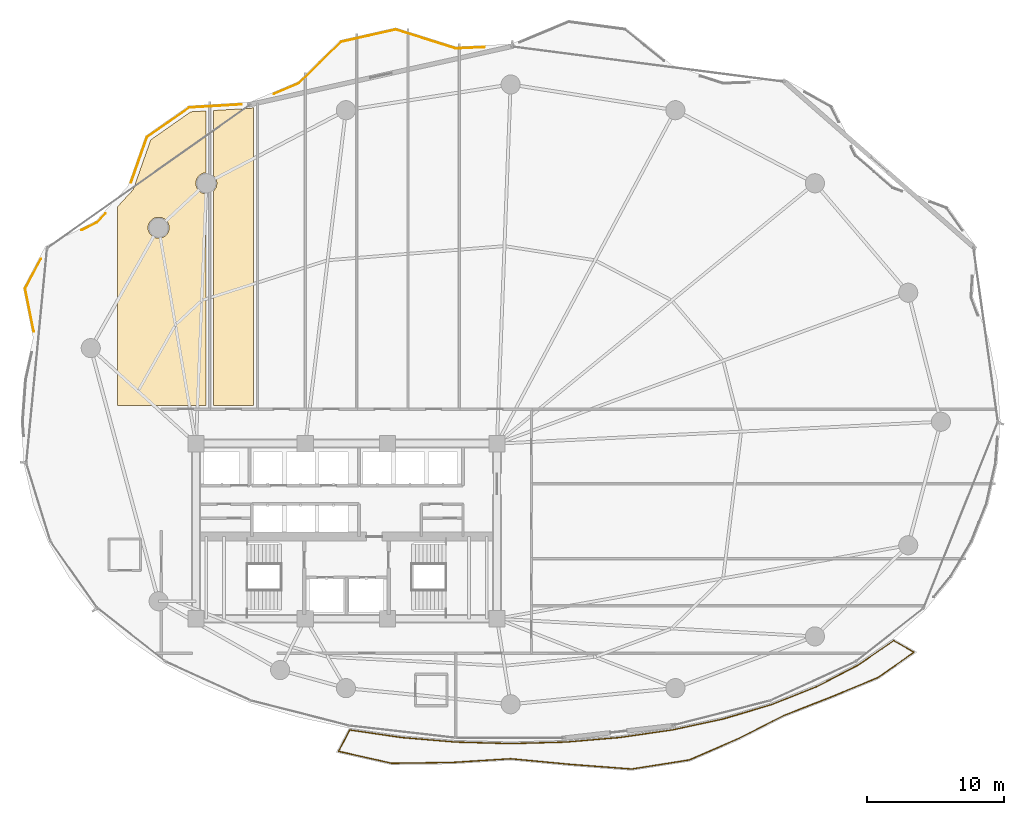
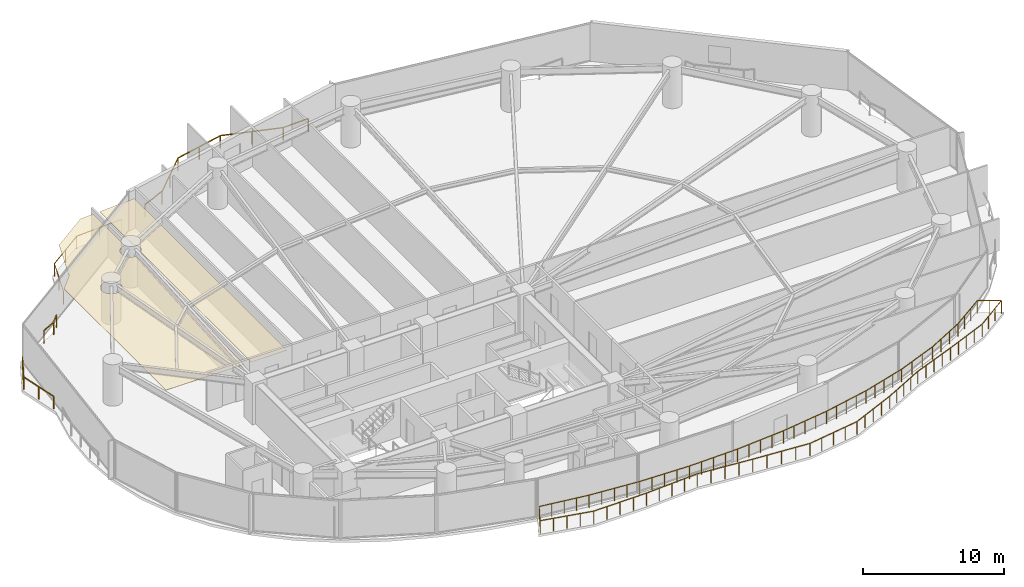
# One storey, part 30 of 31: 5 railings, 2 coverings.
"""IFC4 building model written with IfcOpenShell, lengths in metres."""

from ifc_helpers import new_model, si_unit, direction, frame, origin, origin_2d, place, context, subcontext, project, spatial, polyline, rectangle, outline, extrude, material, layer, layer_set, type_object, element, save


model = new_model("IFC4")

# Units and contexts
model_context = context("Model", 3, precision=1e-05, world=origin(), true_north=direction((0.0, 1.0)))
body_context = subcontext(model_context, "Body", "Model", "MODEL_VIEW")
ifc_project = project(units=[si_unit("LENGTHUNIT", "METRE"), si_unit("AREAUNIT", "SQUARE_METRE"), si_unit("VOLUMEUNIT", "CUBIC_METRE"), si_unit("PLANEANGLEUNIT", "RADIAN"), si_unit("MASSUNIT", "GRAM", prefix="KILO")], contexts=[model_context])

# Site, building, storey
site_placement = place(None, origin())
site = spatial("IfcSite", under=ifc_project, at=site_placement, CompositionType="ELEMENT")
building_placement = place(site_placement, origin())
building = spatial("IfcBuilding", under=site, at=building_placement, Name="Kazevale Care Tower and Concert Hall", CompositionType="ELEMENT")
storey_placement = place(building_placement, frame((0.0, 0.0, 63.60009765625)))
storey = spatial("IfcBuildingStorey", under=building, at=storey_placement, Name="L16", CompositionType="ELEMENT", Elevation=63.60009765625)

# Coverings
ifc_material_1 = material(Name="Acoustic Plaster and Hinoki Wood", Category="wood")
ifc_layer = layer(ifc_material_1, 0.0400390625)
ifc_layer_set = layer_set([ifc_layer], Name="Acoustic Plaster and Hinoki Wood")
covering_type = type_object("IfcCoveringType", Name="Acoustic Perforated Wood-Gypsum Ceiling", PredefinedType="CEILING", material=ifc_layer_set)
covering_1_placement = place(storey_placement, frame((0.0, 0.0, 2.7099609375)))
element("IfcCovering", 1, at=covering_1_placement, inside=storey, type_object=covering_type, Name="clg:L16:1", PredefinedType="CEILING", context=body_context, shape_type="SweptSolid", body=[
    extrude(outline(polyline([(22.719970703125, 60.717041015625), (22.719970703125, 56.2060546875), (22.4619140625, 56.15087890625), (22.2080078125, 55.98193359375), (22.0390625, 55.72802734375), (21.97998046875, 55.429931640625), (22.0390625, 55.132080078125), (22.2080078125, 54.8779296875), (22.4619140625, 54.708984375), (22.719970703125, 54.654052734375), (22.719970703125, 39.205078125), (16.280029296875, 39.205078125), (16.280029296875, 53.735107421875), (17.4130859375, 54.966064453125), (18.69189453125, 58.60302734375), (21.6201171875, 60.652099609375), (22.719970703125, 60.717041015625)]), holes=[polyline([(20.034912109375, 52.33203125), (19.9189453125, 52.613037109375), (19.702880859375, 52.8291015625), (19.422119140625, 52.945068359375), (19.117919921875, 52.945068359375), (18.8369140625, 52.8291015625), (18.62109375, 52.613037109375), (18.5048828125, 52.33203125), (18.5048828125, 52.028076171875), (18.62109375, 51.7470703125), (18.8369140625, 51.531005859375), (19.117919921875, 51.4150390625), (19.422119140625, 51.4150390625), (19.702880859375, 51.531005859375), (19.9189453125, 51.7470703125), (20.034912109375, 52.028076171875), (20.034912109375, 52.33203125)])]), origin(), (0.0, 0.0, 1.0), 0.0400390625),
])
covering_2_placement = place(storey_placement, frame((0.0, 0.0, 2.7099609375)))
element("IfcCovering", 2, at=covering_2_placement, inside=storey, type_object=covering_type, Name="clg:L16:2", PredefinedType="CEILING", context=body_context, shape_type="SweptSolid", body=[
    extrude(outline(polyline([(23.280029296875, 54.85302734375), (23.48095703125, 55.132080078125), (23.5400390625, 55.429931640625), (23.48095703125, 55.72802734375), (23.280029296875, 56.007080078125), (23.280029296875, 60.75), (26.06005859375, 60.9150390625), (26.219970703125, 60.98291015625), (26.219970703125, 39.205078125), (23.280029296875, 39.205078125), (23.280029296875, 54.85302734375)])), origin(), (0.0, 0.0, 1.0), 0.0400390625),
])

# Railings
ifc_material_2 = material(Name="Anodised Bronze Aluminium and Laminated Glass", Category="aluminium")
railing_type = type_object("IfcRailingType", Name="Balcony and Terrace Balustrade 1120", PredefinedType="BALUSTRADE", material=ifc_material_2)
railing_1_placement = place(storey_placement, frame((10.15087890625, 44.5859375, 0.0)))
element("IfcRailing", 3, at=railing_1_placement, inside=storey, type_object=railing_type, Name="rail:L16:perim:2", PredefinedType="BALUSTRADE", context=body_context, shape_type="SweptSolid", body=[
    extrude(rectangle(XDim=0.048095703125, YDim=0.048095703125, at=origin_2d()), frame((0.0, 0.0, 1.09619140625), z_axis=(-0.197415517723, 0.980319903584, 0.0), x_axis=(-0.980319903584, -0.197415517723, 0.0)), (0.0, 0.0, 1.0), 3.21533203125),
    extrude(rectangle(XDim=0.048095703125, YDim=0.048095703125, at=origin_2d()), frame((-0.634765625, 3.152099609375, 1.09619140625), z_axis=(0.467294009077, 0.884101978892, 0.0), x_axis=(-0.884101978892, 0.467294009077, 0.0)), (0.0, 0.0, 1.0), 2.45654296875),
    extrude(rectangle(XDim=0.0419921875, YDim=0.0419921875, at=origin_2d()), origin(), (0.0, 0.0, 1.0), 1.072021484375),
    extrude(rectangle(XDim=0.0419921875, YDim=0.0419921875, at=origin_2d()), frame((-0.3173828125, 1.576171875, 0.0)), (0.0, 0.0, 1.0), 1.072021484375),
    extrude(rectangle(XDim=0.0419921875, YDim=0.0419921875, at=origin_2d()), frame((-0.634765625, 3.152099609375, 0.0)), (0.0, 0.0, 1.0), 1.072021484375),
    extrude(rectangle(XDim=0.0419921875, YDim=0.0419921875, at=origin_2d()), frame((-0.060791015625, 4.238037109375, 0.0)), (0.0, 0.0, 1.0), 1.072021484375),
    extrude(rectangle(XDim=0.0419921875, YDim=0.0419921875, at=origin_2d()), frame((0.51318359375, 5.323974609375, 0.0)), (0.0, 0.0, 1.0), 1.072021484375),
])
railing_2_placement = place(storey_placement, frame((13.639892578125, 52.0, 0.0)))
element("IfcRailing", 4, at=railing_2_placement, inside=storey, type_object=railing_type, Name="rail:L16:perim:3", PredefinedType="BALUSTRADE", context=body_context, shape_type="SweptSolid", body=[
    extrude(rectangle(XDim=0.048095703125, YDim=0.048095703125, at=origin_2d()), frame((0.0, 0.0, 1.09619140625), z_axis=(0.892998785329, 0.450059073235, 0.0), x_axis=(-0.450059073235, 0.892998785329, 0.0)), (0.0, 0.0, 1.0), 1.268798828125),
    extrude(rectangle(XDim=0.048095703125, YDim=0.048095703125, at=origin_2d()), frame((1.133056640625, 0.571044921875, 1.09619140625), z_axis=(0.677347108978, 0.735663573898, 0.0), x_axis=(-0.735663573898, 0.677347108978, 0.0)), (0.0, 0.0, 1.0), 0.8916015625),
    extrude(rectangle(XDim=0.0419921875, YDim=0.0419921875, at=origin_2d()), origin(), (0.0, 0.0, 1.0), 1.072021484375),
    extrude(rectangle(XDim=0.0419921875, YDim=0.0419921875, at=origin_2d()), frame((1.133056640625, 0.571044921875, 0.0)), (0.0, 0.0, 1.0), 1.072021484375),
    extrude(rectangle(XDim=0.0419921875, YDim=0.0419921875, at=origin_2d()), frame((1.737060546875, 1.22705078125, 0.0)), (0.0, 0.0, 1.0), 1.072021484375),
])
railing_3_placement = place(storey_placement, frame((17.256103515625, 55.485107421875, 0.0)))
element("IfcRailing", 5, at=railing_3_placement, inside=storey, type_object=railing_type, Name="rail:L16:perim:4", PredefinedType="BALUSTRADE", context=body_context, shape_type="SweptSolid", body=[
    extrude(rectangle(XDim=0.048095703125, YDim=0.048095703125, at=origin_2d()), frame((0.0, 0.0, 1.09619140625), z_axis=(0.331789638428, 0.943353399226, 0.0), x_axis=(-0.943353399226, 0.331789638428, 0.0)), (0.0, 0.0, 1.0), 3.520263671875),
    extrude(rectangle(XDim=0.048095703125, YDim=0.048095703125, at=origin_2d()), frame((1.16796875, 3.32080078125, 1.09619140625), z_axis=(0.819317150276, 0.573340568304, 0.0), x_axis=(-0.573340568304, 0.819317150276, 0.0)), (0.0, 0.0, 1.0), 3.767578125),
    extrude(rectangle(XDim=0.048095703125, YDim=0.048095703125, at=origin_2d()), frame((4.2548828125, 5.48095703125, 1.09619140625), z_axis=(0.998243706138, 0.05924105971, 0.0), x_axis=(-0.05924105971, 0.998243706138, 0.0)), (0.0, 0.0, 1.0), 3.832763671875),
    extrude(rectangle(XDim=0.0419921875, YDim=0.0419921875, at=origin_2d()), origin(), (0.0, 0.0, 1.0), 1.072021484375),
    extrude(rectangle(XDim=0.0419921875, YDim=0.0419921875, at=origin_2d()), frame((0.583984375, 1.660400390625, 0.0)), (0.0, 0.0, 1.0), 1.072021484375),
    extrude(rectangle(XDim=0.0419921875, YDim=0.0419921875, at=origin_2d()), frame((1.16796875, 3.32080078125, 0.0)), (0.0, 0.0, 1.0), 1.072021484375),
    extrude(rectangle(XDim=0.0419921875, YDim=0.0419921875, at=origin_2d()), frame((2.71142578125, 4.40087890625, 0.0)), (0.0, 0.0, 1.0), 1.072021484375),
    extrude(rectangle(XDim=0.0419921875, YDim=0.0419921875, at=origin_2d()), frame((4.2548828125, 5.48095703125, 0.0)), (0.0, 0.0, 1.0), 1.072021484375),
    extrude(rectangle(XDim=0.0419921875, YDim=0.0419921875, at=origin_2d()), frame((6.16796875, 5.594482421875, 0.0)), (0.0, 0.0, 1.0), 1.072021484375),
    extrude(rectangle(XDim=0.0419921875, YDim=0.0419921875, at=origin_2d()), frame((8.080810546875, 5.7080078125, 0.0)), (0.0, 0.0, 1.0), 1.072021484375),
])
railing_4_placement = place(storey_placement, frame((27.69091796875, 61.9580078125, 0.0)))
element("IfcRailing", 6, at=railing_4_placement, inside=storey, type_object=railing_type, Name="rail:L16:perim:5", PredefinedType="BALUSTRADE", context=body_context, shape_type="SweptSolid", body=[
    extrude(rectangle(XDim=0.048095703125, YDim=0.048095703125, at=origin_2d()), frame((0.0, 0.0, 1.09619140625), z_axis=(0.920032063091, 0.391843084517, 0.0), x_axis=(-0.391843084517, 0.920032063091, 0.0)), (0.0, 0.0, 1.0), 2.01611328125),
    extrude(rectangle(XDim=0.048095703125, YDim=0.048095703125, at=origin_2d()), frame((1.85498046875, 0.7900390625, 1.09619140625), z_axis=(0.711782228396, 0.702400213083, 0.0), x_axis=(-0.702400213083, 0.711782228396, 0.0)), (0.0, 0.0, 1.0), 4.293701171875),
    extrude(rectangle(XDim=0.048095703125, YDim=0.048095703125, at=origin_2d()), frame((4.9111328125, 3.805908203125, 1.09619140625), z_axis=(0.975507116128, 0.219967875798, 0.0), x_axis=(-0.219967875798, 0.975507116128, 0.0)), (0.0, 0.0, 1.0), 4.09228515625),
    extrude(rectangle(XDim=0.048095703125, YDim=0.048095703125, at=origin_2d()), frame((8.903076171875, 4.7060546875, 1.09619140625), z_axis=(0.953872379176, -0.300212398553, 0.0), x_axis=(0.300212398553, 0.953872379176, 0.0)), (0.0, 0.0, 1.0), 4.590576171875),
    extrude(rectangle(XDim=0.048095703125, YDim=0.048095703125, at=origin_2d()), frame((13.281982421875, 3.327880859375, 1.09619140625), z_axis=(0.999070924125, 0.043096270926, 0.0), x_axis=(-0.043096270926, 0.999070924125, 0.0)), (0.0, 0.0, 1.0), 2.113037109375),
    extrude(rectangle(XDim=0.0419921875, YDim=0.0419921875, at=origin_2d()), origin(), (0.0, 0.0, 1.0), 1.072021484375),
    extrude(rectangle(XDim=0.0419921875, YDim=0.0419921875, at=origin_2d()), frame((1.85498046875, 0.7900390625, 0.0)), (0.0, 0.0, 1.0), 1.072021484375),
    extrude(rectangle(XDim=0.0419921875, YDim=0.0419921875, at=origin_2d()), frame((3.383056640625, 2.2978515625, 0.0)), (0.0, 0.0, 1.0), 1.072021484375),
    extrude(rectangle(XDim=0.0419921875, YDim=0.0419921875, at=origin_2d()), frame((4.9111328125, 3.805908203125, 0.0)), (0.0, 0.0, 1.0), 1.072021484375),
    extrude(rectangle(XDim=0.0419921875, YDim=0.0419921875, at=origin_2d()), frame((6.9072265625, 4.255859375, 0.0)), (0.0, 0.0, 1.0), 1.072021484375),
    extrude(rectangle(XDim=0.0419921875, YDim=0.0419921875, at=origin_2d()), frame((8.903076171875, 4.7060546875, 0.0)), (0.0, 0.0, 1.0), 1.072021484375),
    extrude(rectangle(XDim=0.0419921875, YDim=0.0419921875, at=origin_2d()), frame((11.092529296875, 4.01708984375, 0.0)), (0.0, 0.0, 1.0), 1.072021484375),
    extrude(rectangle(XDim=0.0419921875, YDim=0.0419921875, at=origin_2d()), frame((13.281982421875, 3.327880859375, 0.0)), (0.0, 0.0, 1.0), 1.072021484375),
    extrude(rectangle(XDim=0.0419921875, YDim=0.0419921875, at=origin_2d()), frame((15.39306640625, 3.4189453125, 0.0)), (0.0, 0.0, 1.0), 1.072021484375),
])
railing_5_placement = place(storey_placement, frame((33.239990234375, 15.469970703125, 0.0)))
element("IfcRailing", 7, at=railing_5_placement, inside=storey, type_object=railing_type, Name="rail:L16:balcony", PredefinedType="BALUSTRADE", context=body_context, shape_type="SweptSolid", body=[
    extrude(rectangle(XDim=0.048095703125, YDim=0.048095703125, at=origin_2d()), frame((0.0, 0.0, 1.09619140625), z_axis=(0.98954153526, -0.144248223541, 0.0), x_axis=(0.144248223541, 0.98954153526, 0.0)), (0.0, 0.0, 1.0), 3.820068359375),
    extrude(rectangle(XDim=0.048095703125, YDim=0.048095703125, at=origin_2d()), frame((3.780029296875, -0.551025390625, 1.09619140625), z_axis=(0.996491809711, -0.083690341016, 0.0), x_axis=(0.083690341016, 0.996491809711, 0.0)), (0.0, 0.0, 1.0), 3.97900390625),
    extrude(rectangle(XDim=0.048095703125, YDim=0.048095703125, at=origin_2d()), frame((7.7451171875, -0.884033203125, 1.09619140625), z_axis=(0.999619139625, -0.027596660954, 0.0), x_axis=(0.027596660954, 0.999619139625, 0.0)), (0.0, 0.0, 1.0), 4.016357421875),
    extrude(rectangle(XDim=0.048095703125, YDim=0.048095703125, at=origin_2d()), frame((11.760009765625, -0.994873046875, 1.09619140625), z_axis=(0.999619139625, 0.027596660954, 0.0), x_axis=(-0.027596660954, 0.999619139625, 0.0)), (0.0, 0.0, 1.0), 4.016357421875),
    extrude(rectangle(XDim=0.048095703125, YDim=0.048095703125, at=origin_2d()), frame((15.77490234375, -0.884033203125, 1.09619140625), z_axis=(0.996491809711, 0.083690341016, 0.0), x_axis=(-0.083690341016, 0.996491809711, 0.0)), (0.0, 0.0, 1.0), 3.97900390625),
    extrude(rectangle(XDim=0.048095703125, YDim=0.048095703125, at=origin_2d()), frame((19.739990234375, -0.551025390625, 1.09619140625), z_axis=(0.989562148583, 0.144106745477, 0.0), x_axis=(-0.144106745477, 0.989562148583, 0.0)), (0.0, 0.0, 1.0), 3.90673828125),
    extrude(rectangle(XDim=0.048095703125, YDim=0.048095703125, at=origin_2d()), frame((23.60595703125, 0.011962890625, 1.09619140625), z_axis=(0.977622623243, 0.210366362622, 0.0), x_axis=(-0.210366362622, 0.977622623243, 0.0)), (0.0, 0.0, 1.0), 3.80322265625),
    extrude(rectangle(XDim=0.048095703125, YDim=0.048095703125, at=origin_2d()), frame((27.323974609375, 0.81201171875, 1.09619140625), z_axis=(0.958576059845, 0.28483668565, 0.0), x_axis=(-0.28483668565, 0.958576059845, 0.0)), (0.0, 0.0, 1.0), 3.67626953125),
    extrude(rectangle(XDim=0.048095703125, YDim=0.048095703125, at=origin_2d()), frame((30.847900390625, 1.859130859375, 1.09619140625), z_axis=(0.929364745906, 0.369162794803, 0.0), x_axis=(-0.369162794803, 0.929364745906, 0.0)), (0.0, 0.0, 1.0), 3.534912109375),
    extrude(rectangle(XDim=0.048095703125, YDim=0.048095703125, at=origin_2d()), frame((34.133056640625, 3.1640625, 1.09619140625), z_axis=(0.886249621896, 0.463207952965, 0.0), x_axis=(-0.463207952965, 0.886249621896, 0.0)), (0.0, 0.0, 1.0), 3.3916015625),
    extrude(rectangle(XDim=0.048095703125, YDim=0.048095703125, at=origin_2d()), frame((37.138916015625, 4.735107421875, 1.09619140625), z_axis=(0.825224295989, 0.564805153402, 0.0), x_axis=(-0.564805153402, 0.825224295989, 0.0)), (0.0, 0.0, 1.0), 3.17626953125),
    extrude(rectangle(XDim=0.048095703125, YDim=0.048095703125, at=origin_2d()), frame((39.760009765625, 6.529052734375, 1.09619140625), z_axis=(0.870244176212, -0.492620618498, 0.0), x_axis=(0.492620618498, 0.870244176212, 0.0)), (0.0, 0.0, 1.0), 1.71337890625),
    extrude(rectangle(XDim=0.048095703125, YDim=0.048095703125, at=origin_2d()), frame((41.2509765625, 5.68505859375, 1.09619140625), z_axis=(-0.818630379614, -0.574320730579, 0.0), x_axis=(0.574320730579, -0.818630379614, 0.0)), (0.0, 0.0, 1.0), 3.224853515625),
    extrude(rectangle(XDim=0.048095703125, YDim=0.048095703125, at=origin_2d()), frame((38.611083984375, 3.8330078125, 1.09619140625), z_axis=(-0.923484195548, -0.383636469295, 0.0), x_axis=(0.383636469295, -0.923484195548, 0.0)), (0.0, 0.0, 1.0), 3.7197265625),
    extrude(rectangle(XDim=0.048095703125, YDim=0.048095703125, at=origin_2d()), frame((35.176025390625, 2.406005859375, 1.09619140625), z_axis=(-0.931446214817, -0.363879030591, 0.0), x_axis=(0.363879030591, -0.931446214817, 0.0)), (0.0, 0.0, 1.0), 3.715576171875),
    extrude(rectangle(XDim=0.048095703125, YDim=0.048095703125, at=origin_2d()), frame((31.715087890625, 1.053955078125, 1.09619140625), z_axis=(-0.891046076552, -0.453912865495, 0.0), x_axis=(0.453912865495, -0.891046076552, 0.0)), (0.0, 0.0, 1.0), 3.68115234375),
    extrude(rectangle(XDim=0.048095703125, YDim=0.048095703125, at=origin_2d()), frame((28.43505859375, -0.616943359375, 1.09619140625), z_axis=(-0.916855361127, -0.399219547082, 0.0), x_axis=(0.399219547082, -0.916855361127, 0.0)), (0.0, 0.0, 1.0), 3.925537109375),
    extrude(rectangle(XDim=0.048095703125, YDim=0.048095703125, at=origin_2d()), frame((24.8359375, -2.18408203125, 1.09619140625), z_axis=(-0.987765738022, -0.155945012073, 0.0), x_axis=(0.155945012073, -0.987765738022, 0.0)), (0.0, 0.0, 1.0), 4.283447265625),
    extrude(rectangle(XDim=0.048095703125, YDim=0.048095703125, at=origin_2d()), frame((20.60498046875, -2.85205078125, 1.09619140625), z_axis=(-0.997146264085, 0.075493893937, 0.0), x_axis=(-0.075493893937, -0.997146264085, 0.0)), (0.0, 0.0, 1.0), 4.517822265625),
    extrude(rectangle(XDim=0.048095703125, YDim=0.048095703125, at=origin_2d()), frame((16.10009765625, -2.510986328125, 1.09619140625), z_axis=(-0.995607335755, 0.093627095393, 0.0), x_axis=(-0.093627095393, -0.995607335755, 0.0)), (0.0, 0.0, 1.0), 4.357177734375),
    extrude(rectangle(XDim=0.048095703125, YDim=0.048095703125, at=origin_2d()), frame((11.761962890625, -2.10302734375, 1.09619140625), z_axis=(-0.998017692243, -0.062933981046, 0.0), x_axis=(0.062933981046, -0.998017692243, 0.0)), (0.0, 0.0, 1.0), 4.321533203125),
    extrude(rectangle(XDim=0.048095703125, YDim=0.048095703125, at=origin_2d()), frame((7.448974609375, -2.375, 1.09619140625), z_axis=(-0.999912788981, -0.013206605606, 0.0), x_axis=(0.013206605606, -0.999912788981, 0.0)), (0.0, 0.0, 1.0), 4.38134765625),
    extrude(rectangle(XDim=0.048095703125, YDim=0.048095703125, at=origin_2d()), frame((3.068115234375, -2.432861328125, 1.09619140625), z_axis=(-0.975624833425, 0.21944517403, 0.0), x_axis=(-0.21944517403, -0.975624833425, 0.0)), (0.0, 0.0, 1.0), 3.9873046875),
    extrude(rectangle(XDim=0.048095703125, YDim=0.048095703125, at=origin_2d()), frame((-0.822021484375, -1.557861328125, 1.09619140625), z_axis=(0.466677312572, 0.884427660089, 0.0), x_axis=(-0.884427660089, 0.466677312572, 0.0)), (0.0, 0.0, 1.0), 1.761474609375),
    extrude(rectangle(XDim=0.0419921875, YDim=0.0419921875, at=origin_2d()), origin(), (0.0, 0.0, 1.0), 1.072021484375),
    extrude(rectangle(XDim=0.0419921875, YDim=0.0419921875, at=origin_2d()), frame((0.945068359375, -0.1376953125, 0.0)), (0.0, 0.0, 1.0), 1.072021484375),
    extrude(rectangle(XDim=0.0419921875, YDim=0.0419921875, at=origin_2d()), frame((1.89013671875, -0.275390625, 0.0)), (0.0, 0.0, 1.0), 1.072021484375),
    extrude(rectangle(XDim=0.0419921875, YDim=0.0419921875, at=origin_2d()), frame((2.8349609375, -0.413330078125, 0.0)), (0.0, 0.0, 1.0), 1.072021484375),
    extrude(rectangle(XDim=0.0419921875, YDim=0.0419921875, at=origin_2d()), frame((3.780029296875, -0.551025390625, 0.0)), (0.0, 0.0, 1.0), 1.072021484375),
    extrude(rectangle(XDim=0.0419921875, YDim=0.0419921875, at=origin_2d()), frame((4.771240234375, -0.63427734375, 0.0)), (0.0, 0.0, 1.0), 1.072021484375),
    extrude(rectangle(XDim=0.0419921875, YDim=0.0419921875, at=origin_2d()), frame((5.7626953125, -0.717529296875, 0.0)), (0.0, 0.0, 1.0), 1.072021484375),
    extrude(rectangle(XDim=0.0419921875, YDim=0.0419921875, at=origin_2d()), frame((6.75390625, -0.80078125, 0.0)), (0.0, 0.0, 1.0), 1.072021484375),
    extrude(rectangle(XDim=0.0419921875, YDim=0.0419921875, at=origin_2d()), frame((7.7451171875, -0.884033203125, 0.0)), (0.0, 0.0, 1.0), 1.072021484375),
    extrude(rectangle(XDim=0.0419921875, YDim=0.0419921875, at=origin_2d()), frame((8.748779296875, -0.91162109375, 0.0)), (0.0, 0.0, 1.0), 1.072021484375),
    extrude(rectangle(XDim=0.0419921875, YDim=0.0419921875, at=origin_2d()), frame((9.75244140625, -0.939453125, 0.0)), (0.0, 0.0, 1.0), 1.072021484375),
    extrude(rectangle(XDim=0.0419921875, YDim=0.0419921875, at=origin_2d()), frame((10.75634765625, -0.96728515625, 0.0)), (0.0, 0.0, 1.0), 1.072021484375),
    extrude(rectangle(XDim=0.0419921875, YDim=0.0419921875, at=origin_2d()), frame((11.760009765625, -0.994873046875, 0.0)), (0.0, 0.0, 1.0), 1.072021484375),
    extrude(rectangle(XDim=0.0419921875, YDim=0.0419921875, at=origin_2d()), frame((12.763671875, -0.96728515625, 0.0)), (0.0, 0.0, 1.0), 1.072021484375),
    extrude(rectangle(XDim=0.0419921875, YDim=0.0419921875, at=origin_2d()), frame((13.767578125, -0.939453125, 0.0)), (0.0, 0.0, 1.0), 1.072021484375),
    extrude(rectangle(XDim=0.0419921875, YDim=0.0419921875, at=origin_2d()), frame((14.771240234375, -0.91162109375, 0.0)), (0.0, 0.0, 1.0), 1.072021484375),
    extrude(rectangle(XDim=0.0419921875, YDim=0.0419921875, at=origin_2d()), frame((15.77490234375, -0.884033203125, 0.0)), (0.0, 0.0, 1.0), 1.072021484375),
    extrude(rectangle(XDim=0.0419921875, YDim=0.0419921875, at=origin_2d()), frame((16.76611328125, -0.80078125, 0.0)), (0.0, 0.0, 1.0), 1.072021484375),
    extrude(rectangle(XDim=0.0419921875, YDim=0.0419921875, at=origin_2d()), frame((17.75732421875, -0.717529296875, 0.0)), (0.0, 0.0, 1.0), 1.072021484375),
    extrude(rectangle(XDim=0.0419921875, YDim=0.0419921875, at=origin_2d()), frame((18.748779296875, -0.63427734375, 0.0)), (0.0, 0.0, 1.0), 1.072021484375),
    extrude(rectangle(XDim=0.0419921875, YDim=0.0419921875, at=origin_2d()), frame((19.739990234375, -0.551025390625, 0.0)), (0.0, 0.0, 1.0), 1.072021484375),
    extrude(rectangle(XDim=0.0419921875, YDim=0.0419921875, at=origin_2d()), frame((20.70654296875, -0.41015625, 0.0)), (0.0, 0.0, 1.0), 1.072021484375),
    extrude(rectangle(XDim=0.0419921875, YDim=0.0419921875, at=origin_2d()), frame((21.6728515625, -0.26953125, 0.0)), (0.0, 0.0, 1.0), 1.072021484375),
    extrude(rectangle(XDim=0.0419921875, YDim=0.0419921875, at=origin_2d()), frame((22.639404296875, -0.12890625, 0.0)), (0.0, 0.0, 1.0), 1.072021484375),
    extrude(rectangle(XDim=0.0419921875, YDim=0.0419921875, at=origin_2d()), frame((23.60595703125, 0.011962890625, 0.0)), (0.0, 0.0, 1.0), 1.072021484375),
    extrude(rectangle(XDim=0.0419921875, YDim=0.0419921875, at=origin_2d()), frame((24.535400390625, 0.2119140625, 0.0)), (0.0, 0.0, 1.0), 1.072021484375),
    extrude(rectangle(XDim=0.0419921875, YDim=0.0419921875, at=origin_2d()), frame((25.46484375, 0.412109375, 0.0)), (0.0, 0.0, 1.0), 1.072021484375),
    extrude(rectangle(XDim=0.0419921875, YDim=0.0419921875, at=origin_2d()), frame((26.39453125, 0.612060546875, 0.0)), (0.0, 0.0, 1.0), 1.072021484375),
    extrude(rectangle(XDim=0.0419921875, YDim=0.0419921875, at=origin_2d()), frame((27.323974609375, 0.81201171875, 0.0)), (0.0, 0.0, 1.0), 1.072021484375),
    extrude(rectangle(XDim=0.0419921875, YDim=0.0419921875, at=origin_2d()), frame((28.205078125, 1.07373046875, 0.0)), (0.0, 0.0, 1.0), 1.072021484375),
    extrude(rectangle(XDim=0.0419921875, YDim=0.0419921875, at=origin_2d()), frame((29.0859375, 1.33544921875, 0.0)), (0.0, 0.0, 1.0), 1.072021484375),
    extrude(rectangle(XDim=0.0419921875, YDim=0.0419921875, at=origin_2d()), frame((29.966796875, 1.597412109375, 0.0)), (0.0, 0.0, 1.0), 1.072021484375),
    extrude(rectangle(XDim=0.0419921875, YDim=0.0419921875, at=origin_2d()), frame((30.847900390625, 1.859130859375, 0.0)), (0.0, 0.0, 1.0), 1.072021484375),
    extrude(rectangle(XDim=0.0419921875, YDim=0.0419921875, at=origin_2d()), frame((31.94287109375, 2.294189453125, 0.0)), (0.0, 0.0, 1.0), 1.072021484375),
    extrude(rectangle(XDim=0.0419921875, YDim=0.0419921875, at=origin_2d()), frame((33.0380859375, 2.72900390625, 0.0)), (0.0, 0.0, 1.0), 1.072021484375),
    extrude(rectangle(XDim=0.0419921875, YDim=0.0419921875, at=origin_2d()), frame((34.133056640625, 3.1640625, 0.0)), (0.0, 0.0, 1.0), 1.072021484375),
    extrude(rectangle(XDim=0.0419921875, YDim=0.0419921875, at=origin_2d()), frame((35.135009765625, 3.687744140625, 0.0)), (0.0, 0.0, 1.0), 1.072021484375),
    extrude(rectangle(XDim=0.0419921875, YDim=0.0419921875, at=origin_2d()), frame((36.136962890625, 4.21142578125, 0.0)), (0.0, 0.0, 1.0), 1.072021484375),
    extrude(rectangle(XDim=0.0419921875, YDim=0.0419921875, at=origin_2d()), frame((37.138916015625, 4.735107421875, 0.0)), (0.0, 0.0, 1.0), 1.072021484375),
    extrude(rectangle(XDim=0.0419921875, YDim=0.0419921875, at=origin_2d()), frame((38.0126953125, 5.3330078125, 0.0)), (0.0, 0.0, 1.0), 1.072021484375),
    extrude(rectangle(XDim=0.0419921875, YDim=0.0419921875, at=origin_2d()), frame((38.88623046875, 5.93115234375, 0.0)), (0.0, 0.0, 1.0), 1.072021484375),
    extrude(rectangle(XDim=0.0419921875, YDim=0.0419921875, at=origin_2d()), frame((39.760009765625, 6.529052734375, 0.0)), (0.0, 0.0, 1.0), 1.072021484375),
    extrude(rectangle(XDim=0.0419921875, YDim=0.0419921875, at=origin_2d()), frame((40.50537109375, 6.10693359375, 0.0)), (0.0, 0.0, 1.0), 1.072021484375),
    extrude(rectangle(XDim=0.0419921875, YDim=0.0419921875, at=origin_2d()), frame((41.2509765625, 5.68505859375, 0.0)), (0.0, 0.0, 1.0), 1.072021484375),
    extrude(rectangle(XDim=0.0419921875, YDim=0.0419921875, at=origin_2d()), frame((40.37109375, 5.067626953125, 0.0)), (0.0, 0.0, 1.0), 1.072021484375),
    extrude(rectangle(XDim=0.0419921875, YDim=0.0419921875, at=origin_2d()), frame((39.490966796875, 4.450439453125, 0.0)), (0.0, 0.0, 1.0), 1.072021484375),
    extrude(rectangle(XDim=0.0419921875, YDim=0.0419921875, at=origin_2d()), frame((38.611083984375, 3.8330078125, 0.0)), (0.0, 0.0, 1.0), 1.072021484375),
    extrude(rectangle(XDim=0.0419921875, YDim=0.0419921875, at=origin_2d()), frame((37.75244140625, 3.476318359375, 0.0)), (0.0, 0.0, 1.0), 1.072021484375),
    extrude(rectangle(XDim=0.0419921875, YDim=0.0419921875, at=origin_2d()), frame((36.8935546875, 3.11962890625, 0.0)), (0.0, 0.0, 1.0), 1.072021484375),
    extrude(rectangle(XDim=0.0419921875, YDim=0.0419921875, at=origin_2d()), frame((36.03466796875, 2.7626953125, 0.0)), (0.0, 0.0, 1.0), 1.072021484375),
    extrude(rectangle(XDim=0.0419921875, YDim=0.0419921875, at=origin_2d()), frame((35.176025390625, 2.406005859375, 0.0)), (0.0, 0.0, 1.0), 1.072021484375),
    extrude(rectangle(XDim=0.0419921875, YDim=0.0419921875, at=origin_2d()), frame((34.310791015625, 2.06787109375, 0.0)), (0.0, 0.0, 1.0), 1.072021484375),
    extrude(rectangle(XDim=0.0419921875, YDim=0.0419921875, at=origin_2d()), frame((33.445556640625, 1.72998046875, 0.0)), (0.0, 0.0, 1.0), 1.072021484375),
    extrude(rectangle(XDim=0.0419921875, YDim=0.0419921875, at=origin_2d()), frame((32.580322265625, 1.39208984375, 0.0)), (0.0, 0.0, 1.0), 1.072021484375),
    extrude(rectangle(XDim=0.0419921875, YDim=0.0419921875, at=origin_2d()), frame((31.715087890625, 1.053955078125, 0.0)), (0.0, 0.0, 1.0), 1.072021484375),
    extrude(rectangle(XDim=0.0419921875, YDim=0.0419921875, at=origin_2d()), frame((30.89501953125, 0.63623046875, 0.0)), (0.0, 0.0, 1.0), 1.072021484375),
    extrude(rectangle(XDim=0.0419921875, YDim=0.0419921875, at=origin_2d()), frame((30.0751953125, 0.218505859375, 0.0)), (0.0, 0.0, 1.0), 1.072021484375),
    extrude(rectangle(XDim=0.0419921875, YDim=0.0419921875, at=origin_2d()), frame((29.255126953125, -0.19921875, 0.0)), (0.0, 0.0, 1.0), 1.072021484375),
    extrude(rectangle(XDim=0.0419921875, YDim=0.0419921875, at=origin_2d()), frame((28.43505859375, -0.616943359375, 0.0)), (0.0, 0.0, 1.0), 1.072021484375),
    extrude(rectangle(XDim=0.0419921875, YDim=0.0419921875, at=origin_2d()), frame((27.53515625, -1.0087890625, 0.0)), (0.0, 0.0, 1.0), 1.072021484375),
    extrude(rectangle(XDim=0.0419921875, YDim=0.0419921875, at=origin_2d()), frame((26.635498046875, -1.400390625, 0.0)), (0.0, 0.0, 1.0), 1.072021484375),
    extrude(rectangle(XDim=0.0419921875, YDim=0.0419921875, at=origin_2d()), frame((25.73583984375, -1.792236328125, 0.0)), (0.0, 0.0, 1.0), 1.072021484375),
    extrude(rectangle(XDim=0.0419921875, YDim=0.0419921875, at=origin_2d()), frame((24.8359375, -2.18408203125, 0.0)), (0.0, 0.0, 1.0), 1.072021484375),
    extrude(rectangle(XDim=0.0419921875, YDim=0.0419921875, at=origin_2d()), frame((23.7783203125, -2.35107421875, 0.0)), (0.0, 0.0, 1.0), 1.072021484375),
    extrude(rectangle(XDim=0.0419921875, YDim=0.0419921875, at=origin_2d()), frame((22.720458984375, -2.51806640625, 0.0)), (0.0, 0.0, 1.0), 1.072021484375),
    extrude(rectangle(XDim=0.0419921875, YDim=0.0419921875, at=origin_2d()), frame((21.66259765625, -2.68505859375, 0.0)), (0.0, 0.0, 1.0), 1.072021484375),
    extrude(rectangle(XDim=0.0419921875, YDim=0.0419921875, at=origin_2d()), frame((20.60498046875, -2.85205078125, 0.0)), (0.0, 0.0, 1.0), 1.072021484375),
    extrude(rectangle(XDim=0.0419921875, YDim=0.0419921875, at=origin_2d()), frame((19.478759765625, -2.766845703125, 0.0)), (0.0, 0.0, 1.0), 1.072021484375),
    extrude(rectangle(XDim=0.0419921875, YDim=0.0419921875, at=origin_2d()), frame((18.3525390625, -2.681640625, 0.0)), (0.0, 0.0, 1.0), 1.072021484375),
    extrude(rectangle(XDim=0.0419921875, YDim=0.0419921875, at=origin_2d()), frame((17.226318359375, -2.59619140625, 0.0)), (0.0, 0.0, 1.0), 1.072021484375),
    extrude(rectangle(XDim=0.0419921875, YDim=0.0419921875, at=origin_2d()), frame((16.10009765625, -2.510986328125, 0.0)), (0.0, 0.0, 1.0), 1.072021484375),
    extrude(rectangle(XDim=0.0419921875, YDim=0.0419921875, at=origin_2d()), frame((15.015625, -2.408935546875, 0.0)), (0.0, 0.0, 1.0), 1.072021484375),
    extrude(rectangle(XDim=0.0419921875, YDim=0.0419921875, at=origin_2d()), frame((13.93115234375, -2.30712890625, 0.0)), (0.0, 0.0, 1.0), 1.072021484375),
    extrude(rectangle(XDim=0.0419921875, YDim=0.0419921875, at=origin_2d()), frame((12.846435546875, -2.205078125, 0.0)), (0.0, 0.0, 1.0), 1.072021484375),
    extrude(rectangle(XDim=0.0419921875, YDim=0.0419921875, at=origin_2d()), frame((11.761962890625, -2.10302734375, 0.0)), (0.0, 0.0, 1.0), 1.072021484375),
    extrude(rectangle(XDim=0.0419921875, YDim=0.0419921875, at=origin_2d()), frame((10.68359375, -2.1708984375, 0.0)), (0.0, 0.0, 1.0), 1.072021484375),
    extrude(rectangle(XDim=0.0419921875, YDim=0.0419921875, at=origin_2d()), frame((9.60546875, -2.239013671875, 0.0)), (0.0, 0.0, 1.0), 1.072021484375),
    extrude(rectangle(XDim=0.0419921875, YDim=0.0419921875, at=origin_2d()), frame((8.52734375, -2.30712890625, 0.0)), (0.0, 0.0, 1.0), 1.072021484375),
    extrude(rectangle(XDim=0.0419921875, YDim=0.0419921875, at=origin_2d()), frame((7.448974609375, -2.375, 0.0)), (0.0, 0.0, 1.0), 1.072021484375),
    extrude(rectangle(XDim=0.0419921875, YDim=0.0419921875, at=origin_2d()), frame((6.353759765625, -2.389404296875, 0.0)), (0.0, 0.0, 1.0), 1.072021484375),
    extrude(rectangle(XDim=0.0419921875, YDim=0.0419921875, at=origin_2d()), frame((5.258544921875, -2.40380859375, 0.0)), (0.0, 0.0, 1.0), 1.072021484375),
    extrude(rectangle(XDim=0.0419921875, YDim=0.0419921875, at=origin_2d()), frame((4.163330078125, -2.41845703125, 0.0)), (0.0, 0.0, 1.0), 1.072021484375),
    extrude(rectangle(XDim=0.0419921875, YDim=0.0419921875, at=origin_2d()), frame((3.068115234375, -2.432861328125, 0.0)), (0.0, 0.0, 1.0), 1.072021484375),
    extrude(rectangle(XDim=0.0419921875, YDim=0.0419921875, at=origin_2d()), frame((2.095703125, -2.214111328125, 0.0)), (0.0, 0.0, 1.0), 1.072021484375),
    extrude(rectangle(XDim=0.0419921875, YDim=0.0419921875, at=origin_2d()), frame((1.123046875, -1.995361328125, 0.0)), (0.0, 0.0, 1.0), 1.072021484375),
    extrude(rectangle(XDim=0.0419921875, YDim=0.0419921875, at=origin_2d()), frame((0.150390625, -1.776611328125, 0.0)), (0.0, 0.0, 1.0), 1.072021484375),
    extrude(rectangle(XDim=0.0419921875, YDim=0.0419921875, at=origin_2d()), frame((-0.822021484375, -1.557861328125, 0.0)), (0.0, 0.0, 1.0), 1.072021484375),
    extrude(rectangle(XDim=0.0419921875, YDim=0.0419921875, at=origin_2d()), frame((-0.4111328125, -0.77880859375, 0.0)), (0.0, 0.0, 1.0), 1.072021484375),
])

save(model, "model.ifc")
